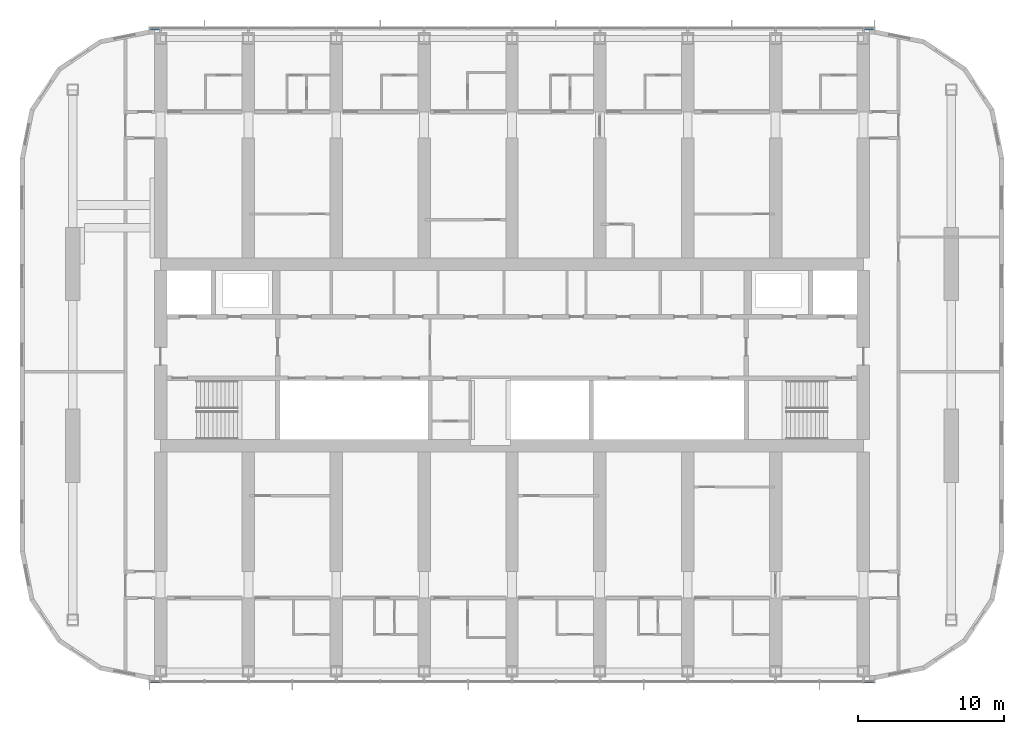
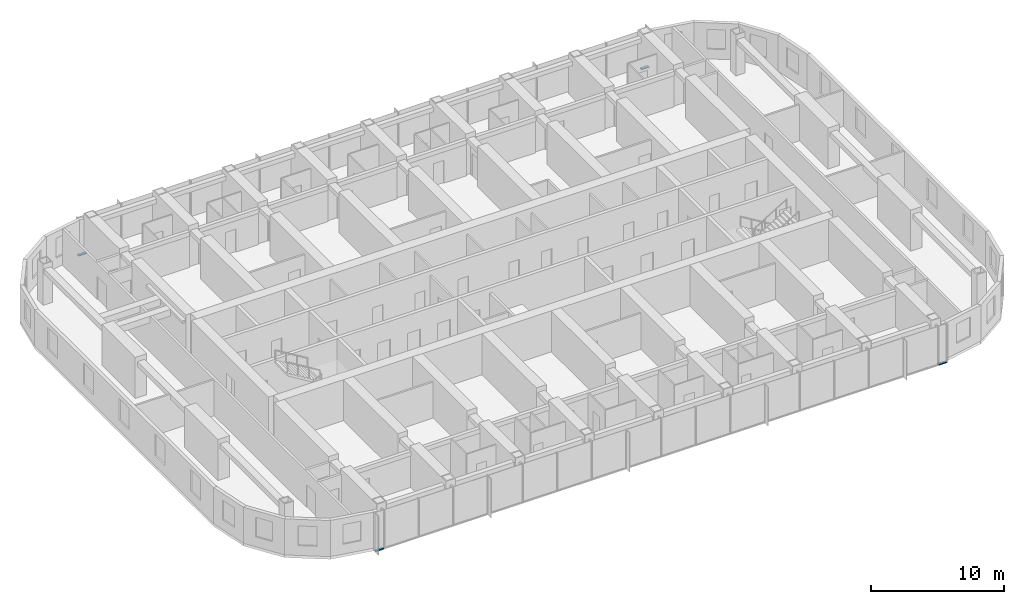
# One storey, part 6 of 22: 4 members, 2 elements without a shape of their own.
"""IFC4 building model written with IfcOpenShell, lengths in metres."""

from ifc_helpers import new_model, si_unit, direction, frame, origin, origin_2d, place, context, subcontext, project, spatial, rectangle, extrude, material, material_profile, profile_set, type_object, element, aggregate, save


model = new_model("IFC4")

# Units and contexts
model_context = context("Model", 3, precision=1e-05, world=origin(), true_north=direction((0.0, 1.0)))
body_context = subcontext(model_context, "Body", "Model", "MODEL_VIEW")
ifc_project = project(units=[si_unit("LENGTHUNIT", "METRE"), si_unit("AREAUNIT", "SQUARE_METRE"), si_unit("VOLUMEUNIT", "CUBIC_METRE"), si_unit("PLANEANGLEUNIT", "RADIAN"), si_unit("MASSUNIT", "GRAM", prefix="KILO")], contexts=[model_context])

# Site, building, storey
site_placement = place(None, origin())
site = spatial("IfcSite", under=ifc_project, at=site_placement, CompositionType="ELEMENT")
building_placement = place(site_placement, origin())
building = spatial("IfcBuilding", under=site, at=building_placement, Name="Orbita Commons", CompositionType="ELEMENT")
storey_placement = place(building_placement, frame((0.0, 0.0, 144.85009765625)))
storey = spatial("IfcBuildingStorey", under=building, at=storey_placement, Name="L35", CompositionType="ELEMENT", Elevation=144.85009765625)

# Curtain wall, members
ifc_material_1 = material(Name="Anodised aluminium frame, pale silver", Category="aluminium")
curtain_wall_type = type_object("IfcCurtainWallType", Name="Unitised curtain wall CW-U, full-height vision", PredefinedType="NOTDEFINED", material=ifc_material_1)
curtain_wall_1_placement = place(storey_placement, origin())
curtain_wall_1 = element("IfcCurtainWall", 1, at=curtain_wall_1_placement, inside=storey, type_object=curtain_wall_type, Name="Curtain wall south L35", PredefinedType="NOTDEFINED")
ifc_material_2 = material(Name="Anodised aluminium, pale silver", Category="aluminium")
ifc_material_profile = material_profile(ifc_material_2, rectangle(XDim=0.219970703125, YDim=0.10009765625, at=origin_2d()), Name="AL 220x100")
ifc_profile_set = profile_set([ifc_material_profile], Name="Anodised aluminium, pale silver")
member_type = type_object("IfcMemberType", Name="Curtain wall stack transom 220x100", PredefinedType="USERDEFINED", material=ifc_profile_set)
member_1_placement = place(storey_placement, frame((17.280029296875, 9.68994140625, -0.2001953125), z_axis=(1.0, 0.0, 0.0), x_axis=(0.0, 1.0, 0.0)))
member_1 = element("IfcMember", 2, at=member_1_placement, type_object=member_type, Name="Transom 1.1 CW-L35-S", ObjectType="TRANSOM", PredefinedType="USERDEFINED", context=body_context, shape_type="SweptSolid", body=[
    extrude(rectangle(XDim=0.219970703125, YDim=0.10009765625, at=origin_2d()), origin(), (0.0, 0.0, 1.0), 0.679931640625),
])
member_2_placement = place(storey_placement, frame((66.0400390625, 9.68994140625, -0.2001953125), z_axis=(1.0, 0.0, 0.0), x_axis=(0.0, 1.0, 0.0)))
member_2 = element("IfcMember", 3, at=member_2_placement, type_object=member_type, Name="Transom 18.1 CW-L35-S", ObjectType="TRANSOM", PredefinedType="USERDEFINED", context=body_context, shape_type="SweptSolid", body=[
    extrude(rectangle(XDim=0.219970703125, YDim=0.10009765625, at=origin_2d()), origin(), (0.0, 0.0, 1.0), 0.679931640625),
])
aggregate(curtain_wall_1, [member_1, member_2])

curtain_wall_2_placement = place(storey_placement, origin())
curtain_wall_2 = element("IfcCurtainWall", 4, at=curtain_wall_2_placement, inside=storey, type_object=curtain_wall_type, Name="Curtain wall north L35", PredefinedType="NOTDEFINED")
member_3_placement = place(storey_placement, frame((66.719970703125, 54.31005859375, -0.2001953125), z_axis=(-1.0, 0.0, 0.0), x_axis=(0.0, -1.0, 0.0)))
member_3 = element("IfcMember", 5, at=member_3_placement, type_object=member_type, Name="Transom 1.1 CW-L35-N", ObjectType="TRANSOM", PredefinedType="USERDEFINED", context=body_context, shape_type="SweptSolid", body=[
    extrude(rectangle(XDim=0.219970703125, YDim=0.10009765625, at=origin_2d()), origin(), (0.0, 0.0, 1.0), 0.679931640625),
])
member_4_placement = place(storey_placement, frame((17.9599609375, 54.31005859375, -0.2001953125), z_axis=(-1.0, 0.0, 0.0), x_axis=(0.0, -1.0, 0.0)))
member_4 = element("IfcMember", 6, at=member_4_placement, type_object=member_type, Name="Transom 18.1 CW-L35-N", ObjectType="TRANSOM", PredefinedType="USERDEFINED", context=body_context, shape_type="SweptSolid", body=[
    extrude(rectangle(XDim=0.219970703125, YDim=0.10009765625, at=origin_2d()), origin(), (0.0, 0.0, 1.0), 0.679931640625),
])
aggregate(curtain_wall_2, [member_3, member_4])

save(model, "model.ifc")
